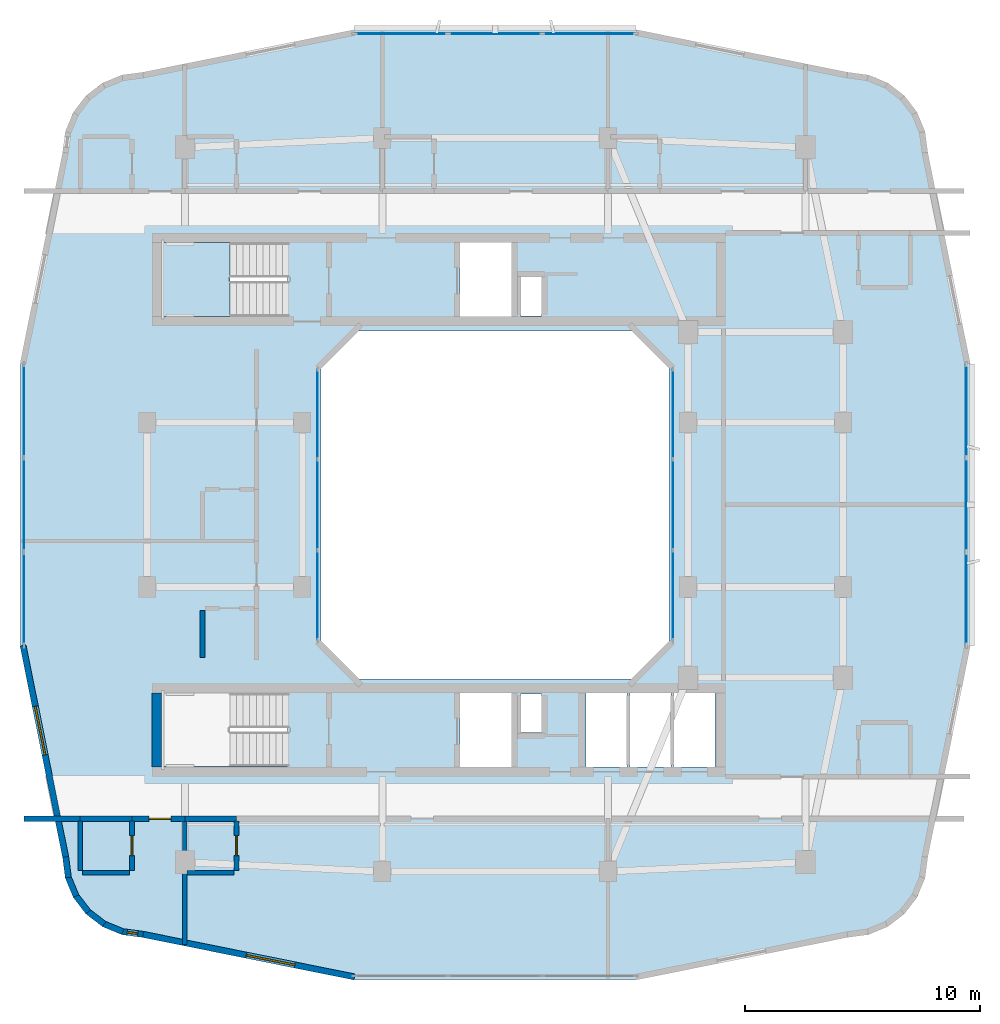
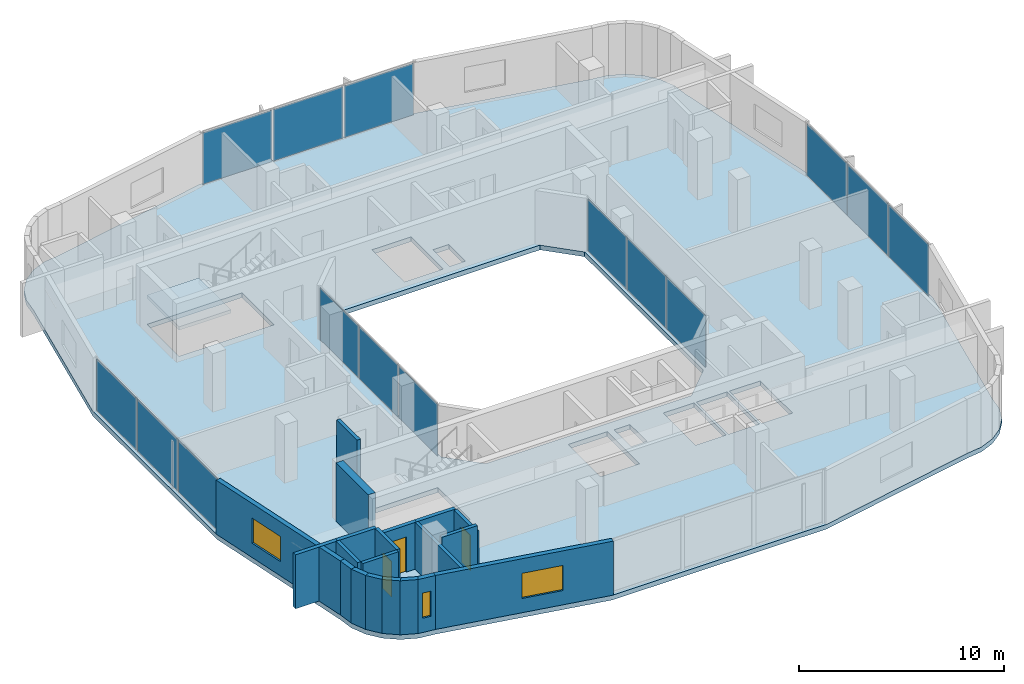
# One storey, part 6 of 14: 20 walls, 15 plates, 3 doors, 3 windows, 2 slabs, 6 openings, 6 elements without a shape of their own.
"""IFC4 building model written with IfcOpenShell, lengths in metres."""

from ifc_helpers import new_model, si_unit, derived_unit, direction, frame, frame_2d, origin, origin_2d, place, context, subcontext, project, spatial, polyline, rectangle, outline, extrude, material, layer, layer_set, type_object, element, fill, aggregate, save


model = new_model("IFC4")

# Units and contexts
model_context = context("Model", 3, precision=1e-05, world=origin(), true_north=direction((0.0, 1.0)))
body_context = subcontext(model_context, "Body", "Model", "MODEL_VIEW")
ifc_project = project(units=[si_unit("LENGTHUNIT", "METRE"), si_unit("AREAUNIT", "SQUARE_METRE"), si_unit("VOLUMEUNIT", "CUBIC_METRE"), si_unit("PLANEANGLEUNIT", "RADIAN"), si_unit("MASSUNIT", "GRAM", prefix="KILO"), derived_unit("THERMALTRANSMITTANCEUNIT", [(si_unit("POWERUNIT", "WATT"), 1), (si_unit("LENGTHUNIT", "METRE"), -2), (si_unit("THERMODYNAMICTEMPERATUREUNIT", "KELVIN"), -1)])], contexts=[model_context])

# Site, building, storey
site_placement = place(None, origin())
site = spatial("IfcSite", under=ifc_project, at=site_placement, CompositionType="ELEMENT")
building_placement = place(site_placement, origin())
building = spatial("IfcBuilding", under=site, at=building_placement, Name="Kivonza Crest Hotel", CompositionType="ELEMENT")
storey_placement = place(building_placement, frame((0.0, 0.0, 152.0)))
storey = spatial("IfcBuildingStorey", under=building, at=storey_placement, Name="L41", CompositionType="ELEMENT", Elevation=152.0)

# Curtain wall, plates
ifc_material_1 = material(Name="Anodised bronze aluminium and low-E double glazing", Category="aluminium")
ifc_layer_1 = layer(ifc_material_1, 0.159912109375)
ifc_layer_set_1 = layer_set([ifc_layer_1], Name="Anodised bronze aluminium and low-E double glazing")
curtain_wall_type_1 = type_object("IfcCurtainWallType", Name="CW-SYS-5", PredefinedType="NOTDEFINED", material=ifc_layer_set_1)
curtain_wall_1_placement = place(storey_placement, origin())
curtain_wall_1 = element("IfcCurtainWall", 1, at=curtain_wall_1_placement, inside=storey, type_object=curtain_wall_type_1, Name="L41 unitised curtain wall CW-WELL-T1-L41-3", PredefinedType="NOTDEFINED")
ifc_material_2 = material(Name="Solar-control low-E double glazing", Category="glass")
ifc_layer_2 = layer(ifc_material_2, 0.028076171875)
ifc_layer_set_2 = layer_set([ifc_layer_2], Name="Solar-control low-E double glazing")
plate_type_1 = type_object("IfcPlateType", Name="CW-PNL-28", PredefinedType="CURTAIN_PANEL", material=ifc_layer_set_2)
plate_1_placement = place(storey_placement, frame((28.56005859375, 21.149658203125, 0.06494140625), z_axis=(0.0, 0.0, 1.0), x_axis=(0.0, 1.0, 0.0)))
plate_1 = element("IfcPlate", 2, at=plate_1_placement, type_object=plate_type_1, Name="CW-5 panel 1.1", PredefinedType="CURTAIN_PANEL", context=body_context, shape_type="SweptSolid", body=[
    extrude(rectangle(XDim=3.769287109375, YDim=0.028076171875, at=origin_2d()), origin(), (0.0, 0.0, 1.0), 3.090087890625),
])
plate_2_placement = place(storey_placement, frame((28.56005859375, 25.0, 0.06494140625), z_axis=(0.0, 0.0, 1.0), x_axis=(0.0, 1.0, 0.0)))
plate_2 = element("IfcPlate", 3, at=plate_2_placement, type_object=plate_type_1, Name="CW-5 panel 2.1", PredefinedType="CURTAIN_PANEL", context=body_context, shape_type="SweptSolid", body=[
    extrude(rectangle(XDim=3.8017578125, YDim=0.028076171875, at=origin_2d()), origin(), (0.0, 0.0, 1.0), 3.090087890625),
])
plate_3_placement = place(storey_placement, frame((28.56005859375, 28.850341796875, 0.06494140625), z_axis=(0.0, 0.0, 1.0), x_axis=(0.0, 1.0, 0.0)))
plate_3 = element("IfcPlate", 4, at=plate_3_placement, type_object=plate_type_1, Name="CW-5 panel 3.1", PredefinedType="CURTAIN_PANEL", context=body_context, shape_type="SweptSolid", body=[
    extrude(rectangle(XDim=3.769287109375, YDim=0.028076171875, at=origin_2d()), origin(), (0.0, 0.0, 1.0), 3.090087890625),
])
aggregate(curtain_wall_1, [plate_1, plate_2, plate_3])

curtain_wall_2_placement = place(storey_placement, origin())
curtain_wall_2 = element("IfcCurtainWall", 5, at=curtain_wall_2_placement, inside=storey, type_object=curtain_wall_type_1, Name="L41 unitised curtain wall CW-WELL-T1-L41-7", PredefinedType="NOTDEFINED")
plate_4_placement = place(storey_placement, frame((13.43994140625, 28.850341796875, 0.06494140625), z_axis=(0.0, 0.0, 1.0), x_axis=(0.0, -1.0, 0.0)))
plate_4 = element("IfcPlate", 6, at=plate_4_placement, type_object=plate_type_1, Name="CW-5 panel 1.1", PredefinedType="CURTAIN_PANEL", context=body_context, shape_type="SweptSolid", body=[
    extrude(rectangle(XDim=3.769287109375, YDim=0.028076171875, at=origin_2d()), origin(), (0.0, 0.0, 1.0), 3.090087890625),
])
plate_5_placement = place(storey_placement, frame((13.43994140625, 25.0, 0.06494140625), z_axis=(0.0, 0.0, 1.0), x_axis=(0.0, -1.0, 0.0)))
plate_5 = element("IfcPlate", 7, at=plate_5_placement, type_object=plate_type_1, Name="CW-5 panel 2.1", PredefinedType="CURTAIN_PANEL", context=body_context, shape_type="SweptSolid", body=[
    extrude(rectangle(XDim=3.8017578125, YDim=0.028076171875, at=origin_2d()), origin(), (0.0, 0.0, 1.0), 3.090087890625),
])
plate_6_placement = place(storey_placement, frame((13.43994140625, 21.149658203125, 0.06494140625), z_axis=(0.0, 0.0, 1.0), x_axis=(0.0, -1.0, 0.0)))
plate_6 = element("IfcPlate", 8, at=plate_6_placement, type_object=plate_type_1, Name="CW-5 panel 3.1", PredefinedType="CURTAIN_PANEL", context=body_context, shape_type="SweptSolid", body=[
    extrude(rectangle(XDim=3.769287109375, YDim=0.028076171875, at=origin_2d()), origin(), (0.0, 0.0, 1.0), 3.090087890625),
])
aggregate(curtain_wall_2, [plate_4, plate_5, plate_6])

ifc_layer_3 = layer(ifc_material_1, 0.179931640625)
ifc_layer_set_3 = layer_set([ifc_layer_3], Name="Anodised bronze aluminium and low-E double glazing")
curtain_wall_type_2 = type_object("IfcCurtainWallType", Name="CW-SYS-3", PredefinedType="NOTDEFINED", material=ifc_layer_set_3)
curtain_wall_3_placement = place(storey_placement, origin())
curtain_wall_3 = element("IfcCurtainWall", 9, at=curtain_wall_3_placement, inside=storey, type_object=curtain_wall_type_2, Name="L41 unitised curtain wall CW-T1-L41-17", PredefinedType="NOTDEFINED")
ifc_material_3 = material(Name="Acoustic triple-laminated low-E glazing", Category="glass")
ifc_layer_4 = layer(ifc_material_3, 0.035888671875)
ifc_layer_set_4 = layer_set([ifc_layer_4], Name="Acoustic triple-laminated low-E glazing")
plate_type_2 = type_object("IfcPlateType", Name="CW-PNL-36", PredefinedType="CURTAIN_PANEL", material=ifc_layer_set_4)
plate_7_placement = place(storey_placement, frame((41.0400390625, 21.00537109375, 0.0751953125), z_axis=(0.0, 0.0, 1.0), x_axis=(0.0, 1.0, 0.0)))
plate_7 = element("IfcPlate", 10, at=plate_7_placement, type_object=plate_type_2, Name="CW-3 panel 1.1", PredefinedType="CURTAIN_PANEL", context=body_context, shape_type="SweptSolid", body=[
    extrude(rectangle(XDim=3.90087890625, YDim=0.035888671875, at=origin_2d()), origin(), (0.0, 0.0, 1.0), 3.070068359375),
])
plate_8_placement = place(storey_placement, frame((41.0400390625, 25.0, 0.0751953125), z_axis=(0.0, 0.0, 1.0), x_axis=(0.0, 1.0, 0.0)))
plate_8 = element("IfcPlate", 11, at=plate_8_placement, type_object=plate_type_2, Name="CW-3 panel 2.1", PredefinedType="CURTAIN_PANEL", context=body_context, shape_type="SweptSolid", body=[
    extrude(rectangle(XDim=3.938232421875, YDim=0.035888671875, at=origin_2d()), origin(), (0.0, 0.0, 1.0), 3.070068359375),
])
plate_9_placement = place(storey_placement, frame((41.0400390625, 28.99462890625, 0.0751953125), z_axis=(0.0, 0.0, 1.0), x_axis=(0.0, 1.0, 0.0)))
plate_9 = element("IfcPlate", 12, at=plate_9_placement, type_object=plate_type_2, Name="CW-3 panel 3.1", PredefinedType="CURTAIN_PANEL", context=body_context, shape_type="SweptSolid", body=[
    extrude(rectangle(XDim=3.90087890625, YDim=0.035888671875, at=origin_2d()), origin(), (0.0, 0.0, 1.0), 3.070068359375),
])
aggregate(curtain_wall_3, [plate_7, plate_8, plate_9])

curtain_wall_4_placement = place(storey_placement, origin())
curtain_wall_4 = element("IfcCurtainWall", 13, at=curtain_wall_4_placement, inside=storey, type_object=curtain_wall_type_2, Name="L41 unitised curtain wall CW-T1-L41-26", PredefinedType="NOTDEFINED")
plate_10_placement = place(storey_placement, frame((24.99462890625, 45.0400390625, 0.0751953125), z_axis=(0.0, 0.0, 1.0), x_axis=(-1.0, 0.0, 0.0)))
plate_10 = element("IfcPlate", 14, at=plate_10_placement, type_object=plate_type_2, Name="CW-3 panel 1.1", PredefinedType="CURTAIN_PANEL", context=body_context, shape_type="SweptSolid", body=[
    extrude(rectangle(XDim=3.90087890625, YDim=0.035888671875, at=origin_2d()), origin(), (0.0, 0.0, 1.0), 3.070068359375),
])
plate_11_placement = place(storey_placement, frame((21.0, 45.0400390625, 0.0751953125), z_axis=(0.0, 0.0, 1.0), x_axis=(-1.0, 0.0, 0.0)))
plate_11 = element("IfcPlate", 15, at=plate_11_placement, type_object=plate_type_2, Name="CW-3 panel 2.1", PredefinedType="CURTAIN_PANEL", context=body_context, shape_type="SweptSolid", body=[
    extrude(rectangle(XDim=3.938232421875, YDim=0.035888671875, at=origin_2d()), origin(), (0.0, 0.0, 1.0), 3.070068359375),
])
plate_12_placement = place(storey_placement, frame((17.00537109375, 45.0400390625, 0.0751953125), z_axis=(0.0, 0.0, 1.0), x_axis=(-1.0, 0.0, 0.0)))
plate_12 = element("IfcPlate", 16, at=plate_12_placement, type_object=plate_type_2, Name="CW-3 panel 3.1", PredefinedType="CURTAIN_PANEL", context=body_context, shape_type="SweptSolid", body=[
    extrude(rectangle(XDim=3.90087890625, YDim=0.035888671875, at=origin_2d()), origin(), (0.0, 0.0, 1.0), 3.070068359375),
])
aggregate(curtain_wall_4, [plate_10, plate_11, plate_12])

curtain_wall_5_placement = place(storey_placement, origin())
curtain_wall_5 = element("IfcCurtainWall", 17, at=curtain_wall_5_placement, inside=storey, type_object=curtain_wall_type_2, Name="L41 unitised curtain wall CW-T1-L41-35", PredefinedType="NOTDEFINED")
plate_13_placement = place(storey_placement, frame((0.9599609375, 28.99462890625, 0.0751953125), z_axis=(0.0, 0.0, 1.0), x_axis=(0.0, -1.0, 0.0)))
plate_13 = element("IfcPlate", 18, at=plate_13_placement, type_object=plate_type_2, Name="CW-3 panel 1.1", PredefinedType="CURTAIN_PANEL", context=body_context, shape_type="SweptSolid", body=[
    extrude(rectangle(XDim=3.90087890625, YDim=0.035888671875, at=origin_2d()), origin(), (0.0, 0.0, 1.0), 3.070068359375),
])
plate_14_placement = place(storey_placement, frame((0.9599609375, 25.0, 0.0751953125), z_axis=(0.0, 0.0, 1.0), x_axis=(0.0, -1.0, 0.0)))
plate_14 = element("IfcPlate", 19, at=plate_14_placement, type_object=plate_type_2, Name="CW-3 panel 2.1", PredefinedType="CURTAIN_PANEL", context=body_context, shape_type="SweptSolid", body=[
    extrude(rectangle(XDim=3.938232421875, YDim=0.035888671875, at=origin_2d()), origin(), (0.0, 0.0, 1.0), 3.070068359375),
])
plate_15_placement = place(storey_placement, frame((0.9599609375, 21.00537109375, 0.0751953125), z_axis=(0.0, 0.0, 1.0), x_axis=(0.0, -1.0, 0.0)))
plate_15 = element("IfcPlate", 20, at=plate_15_placement, type_object=plate_type_2, Name="CW-3 panel 3.1", PredefinedType="CURTAIN_PANEL", context=body_context, shape_type="SweptSolid", body=[
    extrude(rectangle(XDim=3.90087890625, YDim=0.035888671875, at=origin_2d()), origin(), (0.0, 0.0, 1.0), 3.070068359375),
])
aggregate(curtain_wall_5, [plate_13, plate_14, plate_15])

# Slab
ifc_material_4 = material(Name="Concrete C40/50", Category="concrete")
ifc_layer_5 = layer(ifc_material_4, 0.280029296875)
ifc_layer_set_5 = layer_set([ifc_layer_5], Name="Concrete C40/50")
slab_type_1 = type_object("IfcSlabType", Name="SL-HTL-280", PredefinedType="FLOOR", material=ifc_layer_set_5)
slab_1_placement = place(storey_placement, frame((0.0, 0.0, -0.280029296875)))
element("IfcSlab", 21, at=slab_1_placement, inside=storey, type_object=slab_type_1, Name="Tower T1 L41 floor slab", PredefinedType="FLOOR", context=body_context, shape_type="SweptSolid", body=[
    extrude(outline(polyline([(2.60009765625, 10.0), (2.716064453125, 9.1201171875), (3.055908203125, 8.300048828125), (3.595947265625, 7.595947265625), (4.300048828125, 7.055908203125), (5.1201171875, 6.716064453125), (6.0, 6.60009765625), (14.93994140625, 4.800048828125), (27.06005859375, 4.800048828125), (36.0, 6.60009765625), (36.8798828125, 6.716064453125), (37.699951171875, 7.055908203125), (38.404052734375, 7.595947265625), (38.944091796875, 8.300048828125), (39.283935546875, 9.1201171875), (39.39990234375, 10.0), (41.199951171875, 18.93994140625), (41.199951171875, 31.06005859375), (39.39990234375, 40.0), (39.283935546875, 40.8798828125), (38.944091796875, 41.699951171875), (38.404052734375, 42.404052734375), (37.699951171875, 42.944091796875), (36.8798828125, 43.283935546875), (36.0, 43.39990234375), (27.06005859375, 45.199951171875), (14.93994140625, 45.199951171875), (6.0, 43.39990234375), (5.1201171875, 43.283935546875), (4.300048828125, 42.944091796875), (3.595947265625, 42.404052734375), (3.055908203125, 41.699951171875), (2.716064453125, 40.8798828125), (2.60009765625, 40.0), (0.800048828125, 31.06005859375), (0.800048828125, 18.93994140625), (2.60009765625, 10.0)]), holes=[polyline([(15.199951171875, 17.60009765625), (26.800048828125, 17.60009765625), (28.39990234375, 19.199951171875), (28.39990234375, 30.800048828125), (26.800048828125, 32.39990234375), (15.199951171875, 32.39990234375), (13.60009765625, 30.800048828125), (13.60009765625, 19.199951171875), (15.199951171875, 17.60009765625)]), polyline([(6.800048828125, 33.02001953125), (12.159912109375, 33.02001953125), (12.159912109375, 36.159912109375), (6.800048828125, 36.159912109375), (6.800048828125, 33.02001953125)]), polyline([(6.800048828125, 13.860107421875), (12.159912109375, 13.860107421875), (12.159912109375, 17.0), (6.800048828125, 17.0), (6.800048828125, 13.860107421875)]), polyline([(22.080078125, 33.0400390625), (22.969970703125, 33.0400390625), (22.969970703125, 34.679931640625), (22.080078125, 34.679931640625), (22.080078125, 33.0400390625)]), polyline([(22.080078125, 15.320068359375), (22.969970703125, 15.320068359375), (22.969970703125, 16.9599609375), (22.080078125, 16.9599609375), (22.080078125, 15.320068359375)]), polyline([(19.5, 33.0), (21.699951171875, 33.0), (21.699951171875, 36.159912109375), (19.5, 36.159912109375), (19.5, 33.0)]), polyline([(19.5, 13.840087890625), (21.699951171875, 13.840087890625), (21.699951171875, 17.0), (19.5, 17.0), (19.5, 13.840087890625)]), polyline([(24.860107421875, 13.840087890625), (26.60693359375, 13.840087890625), (26.60693359375, 17.0), (24.860107421875, 17.0), (24.860107421875, 13.840087890625)]), polyline([(26.72705078125, 13.840087890625), (28.472900390625, 13.840087890625), (28.472900390625, 17.0), (26.72705078125, 17.0), (26.72705078125, 13.840087890625)]), polyline([(28.593017578125, 13.840087890625), (30.340087890625, 13.840087890625), (30.340087890625, 17.0), (28.593017578125, 17.0), (28.593017578125, 13.840087890625)])]), origin(), (0.0, 0.0, 1.0), 0.280029296875),
])

# Stair, slab
stair_type = type_object("IfcStairType", Name="ST-DL-20R", PredefinedType="HALF_TURN_STAIR", material=ifc_material_4)
stair_placement = place(storey_placement, origin())
stair = element("IfcStair", 22, at=stair_placement, inside=storey, type_object=stair_type, Name="L41 Protected Exit Stair ST-T1-N", PredefinedType="HALF_TURN_STAIR")
ifc_layer_6 = layer(ifc_material_4, 0.199951171875)
ifc_layer_set_6 = layer_set([ifc_layer_6], Name="Concrete C40/50")
slab_type_2 = type_object("IfcSlabType", Name="SL-LAND-200", PredefinedType="LANDING", material=ifc_layer_set_6)
slab_2_placement = place(storey_placement, frame((0.0, 0.0, 1.550048828125)))
slab_2 = element("IfcSlab", 23, at=slab_2_placement, type_object=slab_type_2, Name="ST-T1-N landing 1", PredefinedType="LANDING", context=body_context, shape_type="SweptSolid", body=[
    extrude(outline(polyline([(9.719970703125, 36.159912109375), (6.800048828125, 36.159912109375), (6.800048828125, 33.02001953125), (9.719970703125, 33.02001953125), (9.719970703125, 36.159912109375)])), origin(), (0.0, 0.0, 1.0), 0.199951171875),
])
aggregate(stair, [slab_2])

# Walls
ifc_material_5 = material(Name="High-density acoustic masonry inter-tenancy wall", Category="masonry")
ifc_layer_7 = layer(ifc_material_5, 0.179931640625)
ifc_layer_set_7 = layer_set([ifc_layer_7], Name="High-density acoustic masonry inter-tenancy wall")
wall_type_1 = type_object("IfcWallType", Name="WL-ACOU-180", PredefinedType="SOLIDWALL", material=ifc_layer_set_7)
wall_1_placement = place(storey_placement, frame((7.800048828125, 6.299072265625, 0.0), z_axis=(0.0, 0.0, 1.0), x_axis=(0.0, 1.0, 0.0)))
element("IfcWall", 24, at=wall_1_placement, inside=storey, type_object=wall_type_1, Name="L41 interior partition WA-L41-T1S-DIV1", PredefinedType="SOLIDWALL", context=body_context, shape_type="SweptSolid", body=[
    extrude(rectangle(XDim=5.350830078125, YDim=0.179931640625, at=frame_2d((2.67529296875, 0.0))), origin(), (0.0, 0.0, 1.0), 2.794921875),
])
ifc_material_6 = material(Name="Autoclaved aerated concrete blockwork", Category="masonry")
ifc_layer_8 = layer(ifc_material_6, 0.219970703125)
ifc_layer_set_8 = layer_set([ifc_layer_8], Name="Autoclaved aerated concrete blockwork")
wall_type_2 = type_object("IfcWallType", Name="WL-ACOU-220", PredefinedType="SOLIDWALL", material=ifc_layer_set_8)
wall_2_placement = place(storey_placement, frame((0.9599609375, 11.64990234375, 0.0), z_axis=(0.0, 0.0, 1.0), x_axis=(1.0, 0.0, 0.0)))
element("IfcWall", 25, at=wall_2_placement, inside=storey, type_object=wall_type_2, Name="L41 interior partition WA-L41-S05-XCORR", PredefinedType="SOLIDWALL", context=body_context, shape_type="SweptSolid", body=[
    extrude(rectangle(XDim=2.39013671875, YDim=0.219970703125, at=frame_2d((1.195068359375, 0.0))), origin(), (0.0, 0.0, 1.0), 3.219970703125),
])
wall_3_placement = place(storey_placement, frame((3.35009765625, 11.64990234375, 0.0), z_axis=(0.0, 0.0, 1.0), x_axis=(1.0, 0.0, 0.0)))
element("IfcWall", 26, at=wall_3_placement, inside=storey, type_object=wall_type_2, Name="L41 interior partition WA-L41-S05-BCORR", PredefinedType="SOLIDWALL", context=body_context, shape_type="SweptSolid", body=[
    extrude(rectangle(XDim=2.199951171875, YDim=0.219970703125, at=frame_2d((1.10009765625, 0.0))), origin(), (0.0, 0.0, 1.0), 3.219970703125),
])

# Wall, opening, door
wall_4_placement = place(storey_placement, frame((5.550048828125, 11.64990234375, 0.0), z_axis=(0.0, 0.0, 1.0), x_axis=(1.0, 0.0, 0.0)))
wall_4 = element("IfcWall", 27, at=wall_4_placement, inside=storey, type_object=wall_type_2, Name="L41 interior partition WA-L41-S05-MCORR", PredefinedType="SOLIDWALL", context=body_context, shape_type="SweptSolid", body=[
    extrude(rectangle(XDim=2.25, YDim=0.219970703125, at=frame_2d((1.125, 0.0))), origin(), (0.0, 0.0, 1.0), 2.794921875),
])
opening_1_placement = place(wall_4_placement, frame((0.719970703125, 0.0, 0.0)))
opening_1 = element("IfcOpeningElement", 28, at=opening_1_placement, cuts=wall_4, Name="Opening DU-60", PredefinedType="OPENING", context=body_context, shape_type="SweptSolid", body=[
    extrude(rectangle(XDim=0.949951171875, YDim=2.10009765625, at=frame_2d((0.47509765625, 1.050048828125))), frame((0.0, 0.1201171875, 0.0), z_axis=(0.0, -1.0, 0.0), x_axis=(1.0, 0.0, 0.0)), (0.0, 0.0, 1.0), 0.239990234375),
])
ifc_material_7 = material(Name="Hardwood timber oak", Category="wood")
door_type_1 = type_object("IfcDoorType", Name="DR-UNIT-950", OperationType="NOTDEFINED", PredefinedType="DOOR", material=ifc_material_7)
door_1_placement = place(opening_1_placement, frame((0.949951171875, 0.0, 0.0), z_axis=(0.0, 0.0, 1.0), x_axis=(-1.0, 0.0, 0.0)))
door_1 = element("IfcDoor", 29, at=door_1_placement, inside=storey, type_object=door_type_1, Name="L41 S05 guest unit entrance fire door", OperationType="SINGLE_SWING_LEFT", OverallHeight=2.10009765625, OverallWidth=0.949951171875, PredefinedType="DOOR", context=body_context, shape_type="SweptSolid", body=[
    extrude(rectangle(XDim=0.949951171875, YDim=2.10009765625, at=frame_2d((0.47509765625, 1.050048828125))), frame((0.0, 0.02490234375, 0.0), z_axis=(0.0, -1.0, 0.0), x_axis=(1.0, 0.0, 0.0)), (0.0, 0.0, 1.0), 0.050048828125),
])
fill(opening_1, door_1)

# Walls
wall_5_placement = place(storey_placement, frame((7.800048828125, 11.64990234375, 0.0), z_axis=(0.0, 0.0, 1.0), x_axis=(1.0, 0.0, 0.0)))
element("IfcWall", 30, at=wall_5_placement, inside=storey, type_object=wall_type_2, Name="L41 interior partition WA-L41-S06-BCORR", PredefinedType="SOLIDWALL", context=body_context, shape_type="SweptSolid", body=[
    extrude(rectangle(XDim=2.199951171875, YDim=0.219970703125, at=frame_2d((1.10009765625, 0.0))), origin(), (0.0, 0.0, 1.0), 2.794921875),
])
ifc_material_8 = material(Name="Concrete C50/60", Category="concrete")
ifc_layer_9 = layer(ifc_material_8, 0.39990234375)
ifc_layer_set_9 = layer_set([ifc_layer_9], Name="Concrete C50/60")
wall_type_3 = type_object("IfcWallType", Name="WL-CORE-400", PredefinedType="SHEAR", material=ifc_layer_set_9)
wall_6_placement = place(storey_placement, frame((6.60009765625, 13.840087890625, 0.0), z_axis=(0.0, 0.0, 1.0), x_axis=(0.0, 1.0, 0.0)))
element("IfcWall", 31, at=wall_6_placement, inside=storey, type_object=wall_type_3, Name="Core wall T1-S West L41", PredefinedType="SHEAR", context=body_context, shape_type="SweptSolid", body=[
    extrude(rectangle(XDim=3.159912109375, YDim=0.39990234375, at=frame_2d((1.580078125, 0.0))), origin(), (0.0, 0.0, 1.0), 3.5),
])
ifc_material_9 = material(Name="Precast concrete C40/50", Category="concrete")
ifc_layer_10 = layer(ifc_material_9, 0.260009765625)
ifc_layer_set_10 = layer_set([ifc_layer_10], Name="Precast concrete C40/50")
wall_type_4 = type_object("IfcWallType", Name="WL-EXT-260", PredefinedType="STANDARD", material=ifc_layer_set_10)
wall_7_placement = place(storey_placement, frame((2.72802734375, 10.02490234375, 0.0), z_axis=(0.0, 0.0, 1.0), x_axis=(0.130953706898, -0.991388484223, 0.0)))
element("IfcWall", 32, at=wall_7_placement, inside=storey, type_object=wall_type_4, Name="L41 T1 exterior insulated wall 1", PredefinedType="STANDARD", context=body_context, shape_type="SweptSolid", body=[
    extrude(rectangle(XDim=0.885498046875, YDim=0.260009765625, at=frame_2d((0.44287109375, 0.0))), origin(), (0.0, 0.0, 1.0), 3.219970703125),
])
wall_8_placement = place(storey_placement, frame((2.825927734375, 9.193115234375, 0.0), z_axis=(0.0, 0.0, 1.0), x_axis=(0.383290660547, -0.923627776508, 0.0)))
element("IfcWall", 33, at=wall_8_placement, inside=storey, type_object=wall_type_4, Name="L41 T1 exterior insulated wall 2", PredefinedType="STANDARD", context=body_context, shape_type="SweptSolid", body=[
    extrude(rectangle(XDim=0.9033203125, YDim=0.260009765625, at=frame_2d((0.45166015625, 0.0))), origin(), (0.0, 0.0, 1.0), 3.219970703125),
])
wall_9_placement = place(storey_placement, frame((3.14404296875, 8.39892578125, 0.0), z_axis=(0.0, 0.0, 1.0), x_axis=(0.608624690463, -0.793458244748, 0.0)))
element("IfcWall", 34, at=wall_9_placement, inside=storey, type_object=wall_type_4, Name="L41 T1 exterior insulated wall 3", PredefinedType="STANDARD", context=body_context, shape_type="SweptSolid", body=[
    extrude(rectangle(XDim=0.902099609375, YDim=0.260009765625, at=frame_2d((0.451171875, 0.0))), origin(), (0.0, 0.0, 1.0), 3.219970703125),
])
wall_10_placement = place(storey_placement, frame((3.655029296875, 7.714111328125, 0.0), z_axis=(0.0, 0.0, 1.0), x_axis=(0.793558456666, -0.608494022858, 0.0)))
element("IfcWall", 35, at=wall_10_placement, inside=storey, type_object=wall_type_4, Name="L41 T1 exterior insulated wall 4", PredefinedType="STANDARD", context=body_context, shape_type="SweptSolid", body=[
    extrude(rectangle(XDim=0.90234375, YDim=0.260009765625, at=frame_2d((0.451171875, 0.0))), origin(), (0.0, 0.0, 1.0), 3.219970703125),
])
wall_11_placement = place(storey_placement, frame((4.326904296875, 7.18603515625, 0.0), z_axis=(0.0, 0.0, 1.0), x_axis=(0.923683767999, -0.383155708213, 0.0)))
element("IfcWall", 36, at=wall_11_placement, inside=storey, type_object=wall_type_4, Name="L41 T1 exterior insulated wall 5", PredefinedType="STANDARD", context=body_context, shape_type="SweptSolid", body=[
    extrude(rectangle(XDim=0.90283203125, YDim=0.260009765625, at=frame_2d((0.451416015625, 0.0))), origin(), (0.0, 0.0, 1.0), 3.219970703125),
])

# Wall, opening, window
wall_12_placement = place(storey_placement, frame((5.112060546875, 6.847900390625, 0.0), z_axis=(0.0, 0.0, 1.0), x_axis=(0.991487658083, -0.130200706103, 0.0)))
wall_12 = element("IfcWall", 37, at=wall_12_placement, inside=storey, type_object=wall_type_4, Name="L41 T1 exterior insulated wall 6", PredefinedType="STANDARD", context=body_context, shape_type="SweptSolid", body=[
    extrude(rectangle(XDim=0.920654296875, YDim=0.260009765625, at=frame_2d((0.46044921875, 0.0))), origin(), (0.0, 0.0, 1.0), 3.219970703125),
])
opening_2_placement = place(wall_12_placement, frame((0.235107421875, 0.0, 0.85009765625)))
opening_2 = element("IfcOpeningElement", 38, at=opening_2_placement, cuts=wall_12, Name="Opening WN-11", PredefinedType="OPENING", context=body_context, shape_type="SweptSolid", body=[
    extrude(rectangle(XDim=0.449951171875, YDim=1.5, at=frame_2d((0.22509765625, 0.75))), frame((0.0, 0.14013671875, 0.0), z_axis=(0.0, -1.0, 0.0), x_axis=(1.0, 0.0, 0.0)), (0.0, 0.0, 1.0), 0.280029296875),
])
ifc_material_10 = material(Name="Thermally broken bronze aluminium and low-E double glazing", Category="aluminium")
window_type_1 = type_object("IfcWindowType", Name="WN-045x150", PartitioningType="SINGLE_PANEL", PredefinedType="WINDOW", material=ifc_material_10)
window_1_placement = place(opening_2_placement, origin())
window_1 = element("IfcWindow", 39, at=window_1_placement, inside=storey, type_object=window_type_1, Name="L41 corner vision window 2", OverallHeight=1.5, OverallWidth=0.449951171875, PartitioningType="SINGLE_PANEL", PredefinedType="WINDOW", context=body_context, shape_type="SweptSolid", body=[
    extrude(rectangle(XDim=0.449951171875, YDim=1.5, at=frame_2d((0.22509765625, 0.75))), frame((0.0, 0.030029296875, 0.0), z_axis=(0.0, -1.0, 0.0), x_axis=(1.0, 0.0, 0.0)), (0.0, 0.0, 1.0), 0.06005859375),
])
fill(opening_2, window_1)

wall_13_placement = place(storey_placement, frame((6.01806640625, 6.72900390625, 0.0), z_axis=(0.0, 0.0, 1.0), x_axis=(0.980315963543, -0.197435082048, 0.0)))
wall_13 = element("IfcWall", 40, at=wall_13_placement, inside=storey, type_object=wall_type_4, Name="L41 T1 exterior insulated wall 7", PredefinedType="STANDARD", context=body_context, shape_type="SweptSolid", body=[
    extrude(rectangle(XDim=9.1826171875, YDim=0.260009765625, at=frame_2d((4.59130859375, 0.0))), origin(), (0.0, 0.0, 1.0), 3.219970703125),
])
opening_3_placement = place(wall_13_placement, frame((4.487060546875, 0.0, 0.85009765625)))
opening_3 = element("IfcOpeningElement", 41, at=opening_3_placement, cuts=wall_13, Name="Opening WN-04", PredefinedType="OPENING", context=body_context, shape_type="SweptSolid", body=[
    extrude(rectangle(XDim=2.10009765625, YDim=1.5, at=frame_2d((1.050048828125, 0.75))), frame((0.0, 0.14013671875, 0.0), z_axis=(0.0, -1.0, 0.0), x_axis=(1.0, 0.0, 0.0)), (0.0, 0.0, 1.0), 0.280029296875),
])
window_type_2 = type_object("IfcWindowType", Name="WN-210x150", PartitioningType="DOUBLE_PANEL_VERTICAL", PredefinedType="WINDOW", material=ifc_material_10)
window_2_placement = place(opening_3_placement, origin())
window_2 = element("IfcWindow", 42, at=window_2_placement, inside=storey, type_object=window_type_2, Name="L41 T1 facade window 7", OverallHeight=1.5, OverallWidth=2.10009765625, PartitioningType="SINGLE_PANEL", PredefinedType="WINDOW", context=body_context, shape_type="SweptSolid", body=[
    extrude(rectangle(XDim=2.10009765625, YDim=1.5, at=frame_2d((1.050048828125, 0.75))), frame((0.0, 0.030029296875, 0.0), z_axis=(0.0, -1.0, 0.0), x_axis=(1.0, 0.0, 0.0)), (0.0, 0.0, 1.0), 0.06005859375),
])
fill(opening_3, window_2)

wall_14_placement = place(storey_placement, frame((0.916015625, 19.02001953125, 0.0), z_axis=(0.0, 0.0, 1.0), x_axis=(0.197435082048, -0.980315963543, 0.0)))
wall_14 = element("IfcWall", 43, at=wall_14_placement, inside=storey, type_object=wall_type_4, Name="L41 T1 exterior insulated wall 36", PredefinedType="STANDARD", context=body_context, shape_type="SweptSolid", body=[
    extrude(rectangle(XDim=9.1826171875, YDim=0.260009765625, at=frame_2d((4.59130859375, 0.0))), origin(), (0.0, 0.0, 1.0), 3.219970703125),
])
opening_4_placement = place(wall_14_placement, frame((2.64697265625, 0.0, 0.85009765625)))
opening_4 = element("IfcOpeningElement", 44, at=opening_4_placement, cuts=wall_14, Name="Opening WN-04", PredefinedType="OPENING", context=body_context, shape_type="SweptSolid", body=[
    extrude(rectangle(XDim=2.10009765625, YDim=1.5, at=frame_2d((1.050048828125, 0.75))), frame((0.0, 0.14013671875, 0.0), z_axis=(0.0, -1.0, 0.0), x_axis=(1.0, 0.0, 0.0)), (0.0, 0.0, 1.0), 0.280029296875),
])
window_3_placement = place(opening_4_placement, origin())
window_3 = element("IfcWindow", 45, at=window_3_placement, inside=storey, type_object=window_type_2, Name="L41 T1 facade window 36", OverallHeight=1.5, OverallWidth=2.10009765625, PartitioningType="SINGLE_PANEL", PredefinedType="WINDOW", context=body_context, shape_type="SweptSolid", body=[
    extrude(rectangle(XDim=2.10009765625, YDim=1.5, at=frame_2d((1.050048828125, 0.75))), frame((0.0, 0.030029296875, 0.0), z_axis=(0.0, -1.0, 0.0), x_axis=(1.0, 0.0, 0.0)), (0.0, 0.0, 1.0), 0.06005859375),
])
fill(opening_4, window_3)

# Wall, opening, door
ifc_material_11 = material(Name="Moisture-resistant plumbing chase partition wall", Category="gypsum")
ifc_layer_11 = layer(ifc_material_11, 0.199951171875)
ifc_layer_set_11 = layer_set([ifc_layer_11], Name="Moisture-resistant plumbing chase partition wall")
wall_type_5 = type_object("IfcWallType", Name="WL-PLUMB-200", PredefinedType="PLUMBINGWALL", material=ifc_layer_set_11)
wall_15_placement = place(storey_placement, frame((5.550048828125, 9.449951171875, 0.0), z_axis=(0.0, 0.0, 1.0), x_axis=(0.0, 1.0, 0.0)))
wall_15 = element("IfcWall", 46, at=wall_15_placement, inside=storey, type_object=wall_type_5, Name="L41 interior partition WW-L41-S05-BV", PredefinedType="PLUMBINGWALL", context=body_context, shape_type="SweptSolid", body=[
    extrude(rectangle(XDim=2.10009765625, YDim=0.199951171875, at=frame_2d((1.050048828125, 0.0))), origin(), (0.0, 0.0, 1.0), 3.219970703125),
])
opening_5_placement = place(wall_15_placement, frame((0.625, 0.0, 0.0)))
opening_5 = element("IfcOpeningElement", 47, at=opening_5_placement, cuts=wall_15, Name="Opening DI-85", PredefinedType="OPENING", context=body_context, shape_type="SweptSolid", body=[
    extrude(rectangle(XDim=0.85009765625, YDim=2.10009765625, at=frame_2d((0.425048828125, 1.050048828125))), frame((0.0, 0.10986328125, 0.0), z_axis=(0.0, -1.0, 0.0), x_axis=(1.0, 0.0, 0.0)), (0.0, 0.0, 1.0), 0.219970703125),
])
door_type_2 = type_object("IfcDoorType", Name="DR-INT-850", OperationType="NOTDEFINED", PredefinedType="DOOR", material=ifc_material_7)
door_2_placement = place(opening_5_placement, frame((0.85009765625, 0.0, 0.0), z_axis=(0.0, 0.0, 1.0), x_axis=(-1.0, 0.0, 0.0)))
door_2 = element("IfcDoor", 48, at=door_2_placement, inside=storey, type_object=door_type_2, Name="L41 S05 en-suite bathroom door", OperationType="SINGLE_SWING_RIGHT", OverallHeight=2.10009765625, OverallWidth=0.85009765625, PredefinedType="DOOR", context=body_context, shape_type="SweptSolid", body=[
    extrude(rectangle(XDim=0.85009765625, YDim=2.10009765625, at=frame_2d((0.425048828125, 1.050048828125))), frame((0.0, 0.02490234375, 0.0), z_axis=(0.0, -1.0, 0.0), x_axis=(1.0, 0.0, 0.0)), (0.0, 0.0, 1.0), 0.050048828125),
])
fill(opening_5, door_2)

# Walls
wall_16_placement = place(storey_placement, frame((3.449951171875, 9.35009765625, 0.0), z_axis=(0.0, 0.0, 1.0), x_axis=(1.0, 0.0, 0.0)))
element("IfcWall", 49, at=wall_16_placement, inside=storey, type_object=wall_type_5, Name="L41 interior partition WW-L41-S05-BH", PredefinedType="PLUMBINGWALL", context=body_context, shape_type="SweptSolid", body=[
    extrude(rectangle(XDim=2.0, YDim=0.199951171875, at=frame_2d((1.0, 0.0))), origin(), (0.0, 0.0, 1.0), 3.219970703125),
])
wall_17_placement = place(storey_placement, frame((3.35009765625, 9.449951171875, 0.0), z_axis=(0.0, 0.0, 1.0), x_axis=(0.0, 1.0, 0.0)))
element("IfcWall", 50, at=wall_17_placement, inside=storey, type_object=wall_type_5, Name="L41 interior partition WW-L41-S05-BVW", PredefinedType="PLUMBINGWALL", context=body_context, shape_type="SweptSolid", body=[
    extrude(rectangle(XDim=2.10009765625, YDim=0.199951171875, at=frame_2d((1.050048828125, 0.0))), origin(), (0.0, 0.0, 1.0), 3.219970703125),
])

# Wall, opening, door
wall_18_placement = place(storey_placement, frame((10.0, 9.449951171875, 0.0), z_axis=(0.0, 0.0, 1.0), x_axis=(0.0, 1.0, 0.0)))
wall_18 = element("IfcWall", 51, at=wall_18_placement, inside=storey, type_object=wall_type_5, Name="L41 interior partition WW-L41-S06-BV", PredefinedType="PLUMBINGWALL", context=body_context, shape_type="SweptSolid", body=[
    extrude(rectangle(XDim=2.10009765625, YDim=0.199951171875, at=frame_2d((1.050048828125, 0.0))), origin(), (0.0, 0.0, 1.0), 2.7451171875),
])
opening_6_placement = place(wall_18_placement, frame((0.625, 0.0, 0.0)))
opening_6 = element("IfcOpeningElement", 52, at=opening_6_placement, cuts=wall_18, Name="Opening DI-85", PredefinedType="OPENING", context=body_context, shape_type="SweptSolid", body=[
    extrude(rectangle(XDim=0.85009765625, YDim=2.10009765625, at=frame_2d((0.425048828125, 1.050048828125))), frame((0.0, 0.10986328125, 0.0), z_axis=(0.0, -1.0, 0.0), x_axis=(1.0, 0.0, 0.0)), (0.0, 0.0, 1.0), 0.219970703125),
])
door_3_placement = place(opening_6_placement, frame((0.85009765625, 0.0, 0.0), z_axis=(0.0, 0.0, 1.0), x_axis=(-1.0, 0.0, 0.0)))
door_3 = element("IfcDoor", 53, at=door_3_placement, inside=storey, type_object=door_type_2, Name="L41 S06 en-suite bathroom door", OperationType="SINGLE_SWING_LEFT", OverallHeight=2.10009765625, OverallWidth=0.85009765625, PredefinedType="DOOR", context=body_context, shape_type="SweptSolid", body=[
    extrude(rectangle(XDim=0.85009765625, YDim=2.10009765625, at=frame_2d((0.425048828125, 1.050048828125))), frame((0.0, 0.02490234375, 0.0), z_axis=(0.0, -1.0, 0.0), x_axis=(1.0, 0.0, 0.0)), (0.0, 0.0, 1.0), 0.050048828125),
])
fill(opening_6, door_3)

# Walls
for number, where, z_axis, x_axis, name in (
    (54, (7.89990234375, 9.35009765625, 0.0), (0.0, 0.0, 1.0), (1.0, 0.0, 0.0), "L41 interior partition WW-L41-S06-BH"),
    (55, (8.550048828125, 18.5, 0.0), (0.0, 0.0, 1.0), (0.0, 1.0, 0.0), "L41 interior partition WW-L41-W07-BV"),
):
    element("IfcWall", number, at=place(storey_placement, frame(where, z_axis=z_axis, x_axis=x_axis)), inside=storey, type_object=wall_type_5, Name=name, PredefinedType="PLUMBINGWALL", context=body_context, shape_type="SweptSolid", body=[
        extrude(rectangle(XDim=2.0, YDim=0.199951171875, at=frame_2d((1.0, 0.0))), origin(), (0.0, 0.0, 1.0), 3.219970703125),
    ])

save(model, "model.ifc")
